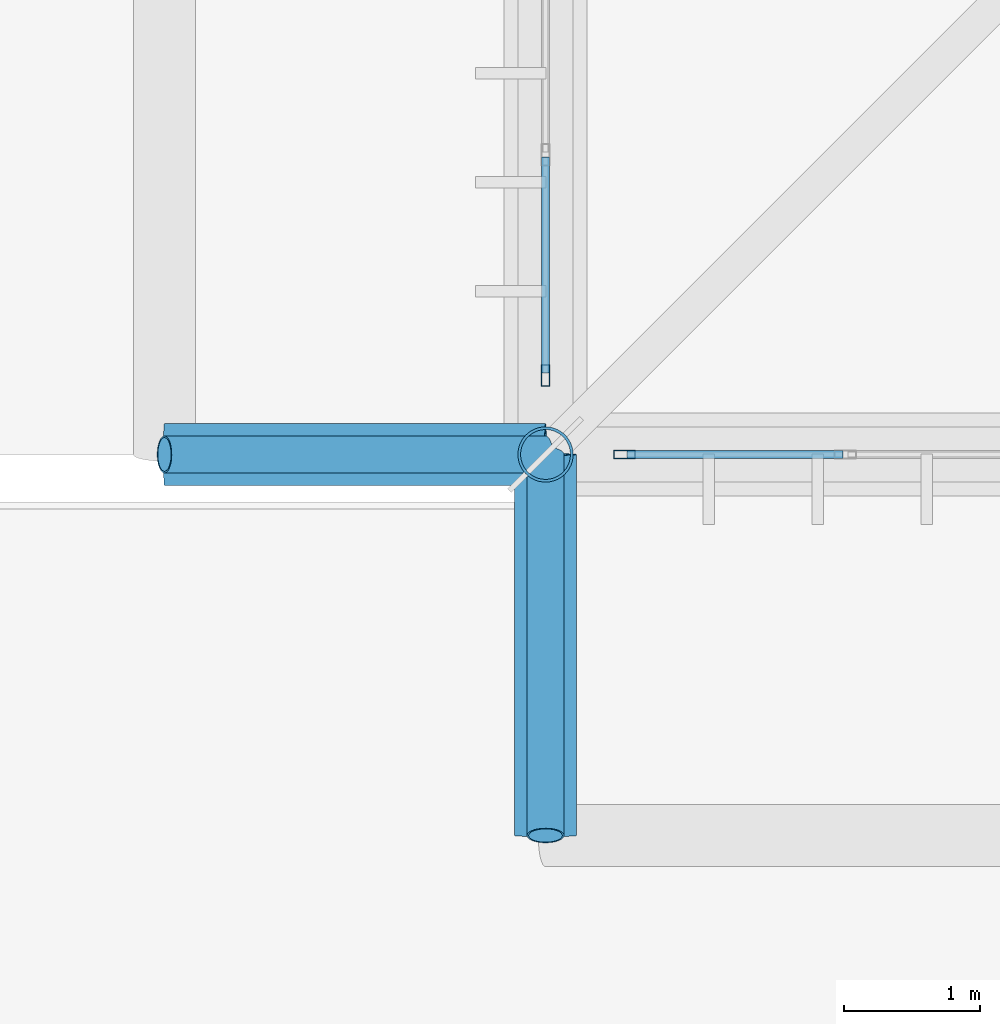
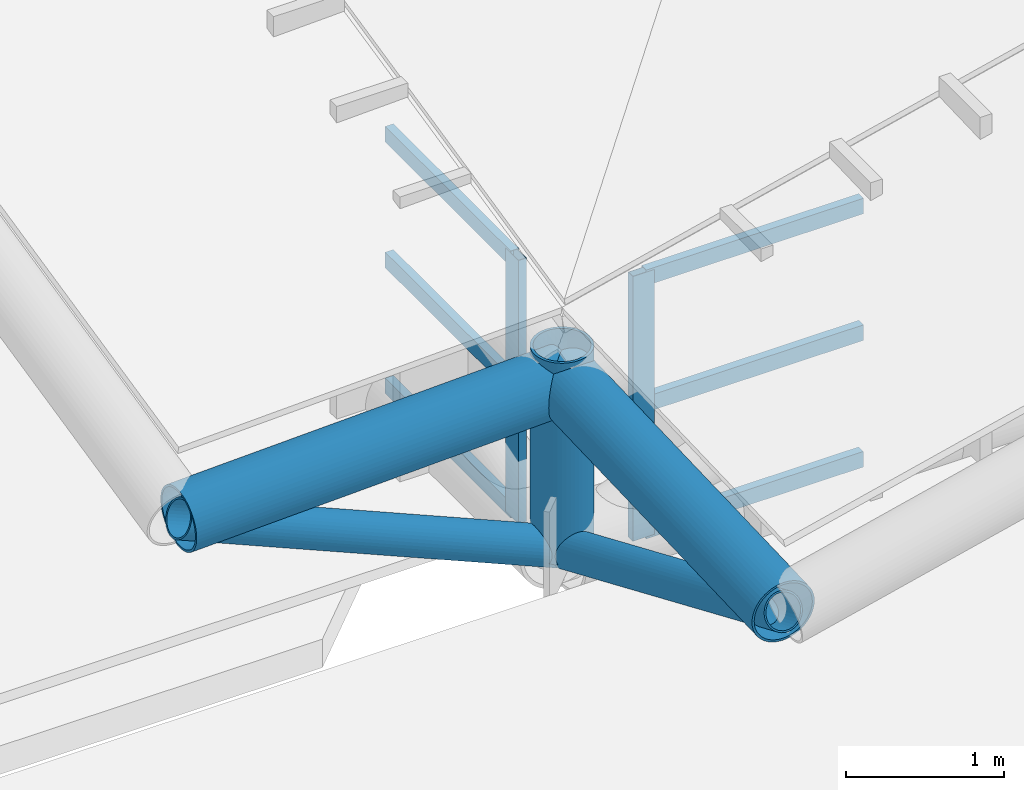
# One storey, part 1 of 397: 11 members, 2 beams, 2 elements without a shape of their own.
"""IFC4 building model written with IfcOpenShell, lengths in metres."""

from ifc_helpers import new_model, si_unit, direction, frame, origin, origin_2d, place, context, subcontext, project, spatial, hollow_rectangle, hollow_circle, extrude, material, material_profile, profile_set, type_object, element, aggregate, save


model = new_model("IFC4")

# Units and contexts
model_context = context("Model", 3, precision=1e-05, world=origin(), true_north=direction((0.0, 1.0)))
body_context = subcontext(model_context, "Body", "Model", "MODEL_VIEW")
ifc_project = project(units=[si_unit("LENGTHUNIT", "METRE"), si_unit("AREAUNIT", "SQUARE_METRE"), si_unit("VOLUMEUNIT", "CUBIC_METRE"), si_unit("PLANEANGLEUNIT", "RADIAN"), si_unit("MASSUNIT", "GRAM", prefix="KILO")], contexts=[model_context])

# Site, building, storey
site_placement = place(None, origin())
site = spatial("IfcSite", under=ifc_project, at=site_placement, CompositionType="ELEMENT")
building_placement = place(site_placement, origin())
building = spatial("IfcBuilding", under=site, at=building_placement, Name="Qandorah Velis Arena", CompositionType="ELEMENT")
storey_placement = place(building_placement, frame((0.0, 0.0, 27.5)))
storey = spatial("IfcBuildingStorey", under=building, at=storey_placement, Name="RF", CompositionType="ELEMENT", Elevation=27.5)

# Curtain wall, member
ifc_material_1 = material(Name="Solar-control low-E double glazing", Category="glass")
curtain_wall_type_1 = type_object("IfcCurtainWallType", Name="ARC-CW-SYS01", PredefinedType="USERDEFINED", material=ifc_material_1)
curtain_wall_1_placement = place(storey_placement, origin())
curtain_wall_1 = element("IfcCurtainWall", 1, at=curtain_wall_1_placement, inside=storey, type_object=curtain_wall_type_1, Name="Unitised curtain wall CROWN-1-01S1", ObjectType="UNITISED CURTAIN WALL", PredefinedType="USERDEFINED")
ifc_material_2 = material(Name="Champagne-bronze anodized aluminium 6063-T6", Category="aluminium")
ifc_material_profile_1 = material_profile(ifc_material_2, hollow_rectangle(XDim=0.06005859375, YDim=0.159912109375, WallThickness=0.00341796875, at=origin_2d()), Name="ALU MULLION 60x160")
ifc_profile_set_1 = profile_set([ifc_material_profile_1], Name="Champagne-bronze anodized aluminium 6063-T6")
member_type_1 = type_object("IfcMemberType", Name="ARC-CWM-160", PredefinedType="MULLION", material=ifc_profile_set_1)
member_1_placement = place(storey_placement, frame((14.39990234375, 14.97998046875, -0.014892578125), z_axis=(0.0, 0.0, 1.0), x_axis=(-1.0, 0.0, 0.0)))
member_1 = element("IfcMember", 2, at=member_1_placement, type_object=member_type_1, Name="CW01 mullion 1", PredefinedType="MULLION", context=body_context, shape_type="SweptSolid", body=[
    extrude(hollow_rectangle(XDim=0.06005859375, YDim=0.159912109375, WallThickness=0.00341796875, at=origin_2d()), origin(), (0.0, 0.0, 1.0), 2.03271484375),
])

curtain_wall_type_2 = type_object("IfcCurtainWallType", Name="ARC-CW-SYS17", PredefinedType="USERDEFINED", material=ifc_material_1)
curtain_wall_2_placement = place(storey_placement, origin())
curtain_wall_2 = element("IfcCurtainWall", 3, at=curtain_wall_2_placement, inside=storey, type_object=curtain_wall_type_2, Name="Unitised curtain wall CROWN-3-01S1", ObjectType="UNITISED CURTAIN WALL", PredefinedType="USERDEFINED")
member_2_placement = place(storey_placement, frame((14.97998046875, 14.39990234375, -0.014892578125), z_axis=(0.0, 0.0, 1.0), x_axis=(0.0, 1.0, 0.0)))
member_2 = element("IfcMember", 4, at=member_2_placement, type_object=member_type_1, Name="CW17 mullion 1", PredefinedType="MULLION", context=body_context, shape_type="SweptSolid", body=[
    extrude(hollow_rectangle(XDim=0.06005859375, YDim=0.159912109375, WallThickness=0.00341796875, at=origin_2d()), origin(), (0.0, 0.0, 1.0), 2.04541015625),
])

# Member
ifc_material_profile_2 = material_profile(ifc_material_2, hollow_rectangle(XDim=0.06005859375, YDim=0.1201171875, WallThickness=0.0029296875, at=origin_2d()), Name="ALU TRANSOM 60x120")
ifc_profile_set_2 = profile_set([ifc_material_profile_2], Name="Champagne-bronze anodized aluminium 6063-T6")
member_type_2 = type_object("IfcMemberType", Name="ARC-CWT-120", PredefinedType="USERDEFINED", material=ifc_profile_set_2)
member_3_placement = place(storey_placement, frame((14.39990234375, 14.998046875, 0.030029296875), z_axis=(0.0, 1.0, 0.0), x_axis=(-1.0, 0.0, 0.0)))
member_3 = element("IfcMember", 5, at=member_3_placement, type_object=member_type_2, Name="CW01 transom 1.1", ObjectType="TRANSOM", PredefinedType="USERDEFINED", context=body_context, shape_type="SweptSolid", body=[
    extrude(hollow_rectangle(XDim=0.06005859375, YDim=0.1201171875, WallThickness=0.0029296875, at=origin_2d()), origin(), (0.0, 0.0, 1.0), 1.58642578125),
])

member_4_placement = place(storey_placement, frame((14.39990234375, 14.998046875, 1.00146484375), z_axis=(0.0, 1.0, 0.0), x_axis=(-1.0, 0.0, 0.0)))
member_4 = element("IfcMember", 6, at=member_4_placement, type_object=member_type_2, Name="CW01 transom 1.2", ObjectType="TRANSOM", PredefinedType="USERDEFINED", context=body_context, shape_type="SweptSolid", body=[
    extrude(hollow_rectangle(XDim=0.06005859375, YDim=0.1201171875, WallThickness=0.0029296875, at=origin_2d()), origin(), (0.0, 0.0, 1.0), 1.58642578125),
])

member_5_placement = place(storey_placement, frame((14.39990234375, 14.998046875, 1.972900390625), z_axis=(0.0, 1.0, 0.0), x_axis=(-1.0, 0.0, 0.0)))
member_5 = element("IfcMember", 7, at=member_5_placement, type_object=member_type_2, Name="CW01 transom 1.3", ObjectType="TRANSOM", PredefinedType="USERDEFINED", context=body_context, shape_type="SweptSolid", body=[
    extrude(hollow_rectangle(XDim=0.06005859375, YDim=0.1201171875, WallThickness=0.0029296875, at=origin_2d()), origin(), (0.0, 0.0, 1.0), 1.58642578125),
])

aggregate(curtain_wall_1, [member_1, member_3, member_4, member_5])

member_6_placement = place(storey_placement, frame((14.998046875, 14.39990234375, 0.030029296875), z_axis=(1.0, 0.0, 0.0), x_axis=(0.0, 1.0, 0.0)))
member_6 = element("IfcMember", 8, at=member_6_placement, type_object=member_type_2, Name="CW17 transom 1.1", ObjectType="TRANSOM", PredefinedType="USERDEFINED", context=body_context, shape_type="SweptSolid", body=[
    extrude(hollow_rectangle(XDim=0.06005859375, YDim=0.1201171875, WallThickness=0.0029296875, at=origin_2d()), origin(), (0.0, 0.0, 1.0), 1.58642578125),
])

member_7_placement = place(storey_placement, frame((14.998046875, 14.39990234375, 1.0078125), z_axis=(1.0, 0.0, 0.0), x_axis=(0.0, 1.0, 0.0)))
member_7 = element("IfcMember", 9, at=member_7_placement, type_object=member_type_2, Name="CW17 transom 1.2", ObjectType="TRANSOM", PredefinedType="USERDEFINED", context=body_context, shape_type="SweptSolid", body=[
    extrude(hollow_rectangle(XDim=0.06005859375, YDim=0.1201171875, WallThickness=0.0029296875, at=origin_2d()), origin(), (0.0, 0.0, 1.0), 1.58642578125),
])

member_8_placement = place(storey_placement, frame((14.998046875, 14.39990234375, 1.985595703125), z_axis=(1.0, 0.0, 0.0), x_axis=(0.0, 1.0, 0.0)))
member_8 = element("IfcMember", 10, at=member_8_placement, type_object=member_type_2, Name="CW17 transom 1.3", ObjectType="TRANSOM", PredefinedType="USERDEFINED", context=body_context, shape_type="SweptSolid", body=[
    extrude(hollow_rectangle(XDim=0.06005859375, YDim=0.1201171875, WallThickness=0.0029296875, at=origin_2d()), origin(), (0.0, 0.0, 1.0), 1.58642578125),
])

aggregate(curtain_wall_2, [member_2, member_6, member_7, member_8])

# Beams
ifc_material_3 = material(Name="Steel S355", Category="steel")
ifc_material_profile_3 = material_profile(ifc_material_3, hollow_circle(Radius=0.228515625, WallThickness=0.01611328125, at=origin_2d()), Name="CHS 457x16")
ifc_profile_set_3 = profile_set([ifc_material_profile_3], Name="Steel S355")
beam_type = type_object("IfcBeamType", Name="STR-SFC-CHS457X16", PredefinedType="USERDEFINED", material=ifc_profile_set_3)
for number, where, z_axis, x_axis, name in (
    (11, (14.39990234375, 14.39990234375, 1.39990234375), (-0.999364629289, 0.0, -0.035641797469), (0.0, -1.0, 0.0), "Space frame eave outrigger W-0"),
    (12, (14.39990234375, 14.39990234375, 1.39990234375), (0.0, -0.999364629289, -0.035641797469), (1.0, 0.0, 0.0), "Space frame eave outrigger S-0"),
):
    element("IfcBeam", number, at=place(storey_placement, frame(where, z_axis=z_axis, x_axis=x_axis)), inside=storey, type_object=beam_type, Name=name, ObjectType="ROOF TRUSS", PredefinedType="USERDEFINED", context=body_context, shape_type="SweptSolid", body=[
        extrude(hollow_circle(Radius=0.228515625, WallThickness=0.01611328125, at=origin_2d()), origin(), (0.0, 0.0, 1.0), 2.801513671875),
    ])

# Members
ifc_material_profile_4 = material_profile(ifc_material_3, hollow_circle(Radius=0.136474609375, WallThickness=0.012451171875, at=origin_2d()), Name="CHS 273x12.5")
ifc_profile_set_4 = profile_set([ifc_material_profile_4], Name="Steel S355")
member_type_3 = type_object("IfcMemberType", Name="STR-SFD-CHS273X12", PredefinedType="STRUT", material=ifc_profile_set_4)
for number, where, z_axis, x_axis, name in (
    (13, (14.39990234375, 14.39990234375, 0.10009765625), (-0.919140884365, 0.0, 0.39392897163), (0.0, -1.0, 0.0), "Space frame eave raking strut W-0"),
    (14, (14.39990234375, 14.39990234375, 0.10009765625), (0.0, -0.919140884365, 0.39392897163), (1.0, 0.0, 0.0), "Space frame eave raking strut S-0"),
):
    element("IfcMember", number, at=place(storey_placement, frame(where, z_axis=z_axis, x_axis=x_axis)), inside=storey, type_object=member_type_3, Name=name, PredefinedType="STRUT", context=body_context, shape_type="SweptSolid", body=[
        extrude(hollow_circle(Radius=0.136474609375, WallThickness=0.012451171875, at=origin_2d()), origin(), (0.0, 0.0, 1.0), 3.046142578125),
    ])
ifc_material_4 = material(Name="Steel S460", Category="steel")
ifc_material_profile_5 = material_profile(ifc_material_4, hollow_circle(Radius=0.203125, WallThickness=0.02001953125, at=origin_2d()), Name="CHS 406.4x20")
ifc_profile_set_5 = profile_set([ifc_material_profile_5], Name="Steel S460")
member_type_4 = type_object("IfcMemberType", Name="STR-SFD-CHS406X20", PredefinedType="STRUT", material=ifc_profile_set_5)
member_9_placement = place(storey_placement, frame((14.39990234375, 14.39990234375, 0.10009765625), z_axis=(0.0, 0.0, 1.0), x_axis=(1.0, 0.0, 0.0)))
element("IfcMember", 15, at=member_9_placement, inside=storey, type_object=member_type_4, Name="Space frame roof vertical post 0.0", PredefinedType="STRUT", context=body_context, shape_type="SweptSolid", body=[
    extrude(hollow_circle(Radius=0.203125, WallThickness=0.02001953125, at=origin_2d()), origin(), (0.0, 0.0, 1.0), 1.559814453125),
])

save(model, "model.ifc")
